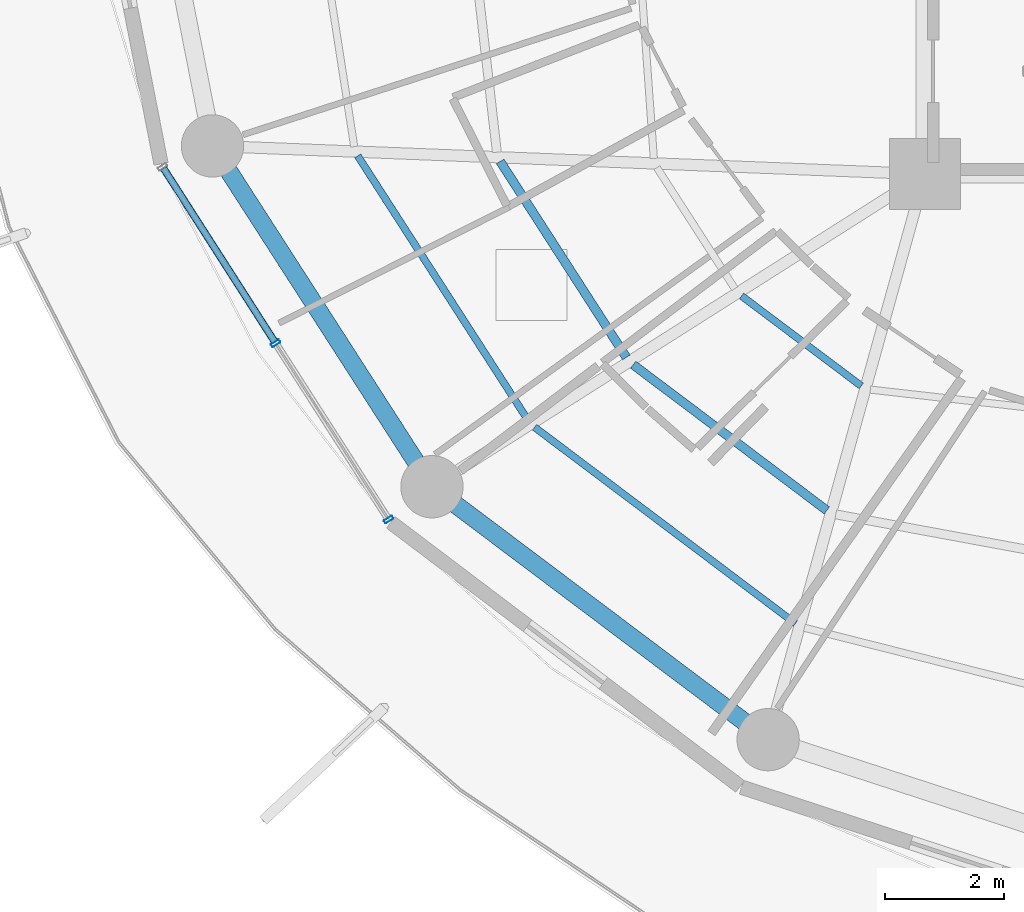
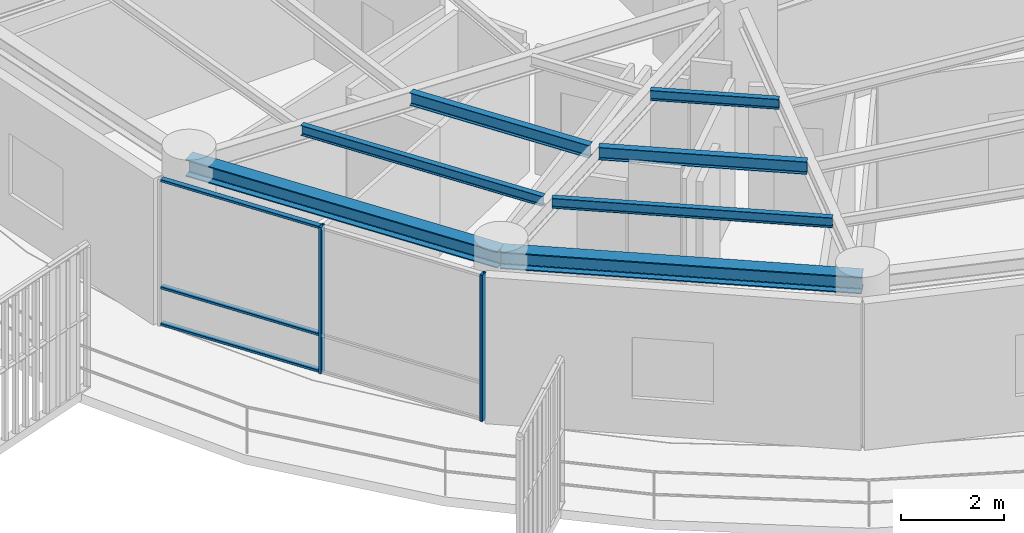
# One storey, part 2 of 30: 7 beams, 5 members, 1 element without a shape of its own.
"""IFC4 building model written with IfcOpenShell, lengths in metres."""

from ifc_helpers import new_model, si_unit, direction, frame, origin, origin_2d, place, context, subcontext, project, spatial, hollow_rectangle, i_section, extrude, material, layer, layer_set, material_profile, profile_set, type_object, element, aggregate, save


model = new_model("IFC4")

# Units and contexts
model_context = context("Model", 3, precision=1e-05, world=origin(), true_north=direction((0.0, 1.0)))
body_context = subcontext(model_context, "Body", "Model", "MODEL_VIEW")
ifc_project = project(units=[si_unit("LENGTHUNIT", "METRE"), si_unit("AREAUNIT", "SQUARE_METRE"), si_unit("VOLUMEUNIT", "CUBIC_METRE"), si_unit("PLANEANGLEUNIT", "RADIAN"), si_unit("MASSUNIT", "GRAM", prefix="KILO")], contexts=[model_context])

# Site, building, storey
site_placement = place(None, origin())
site = spatial("IfcSite", under=ifc_project, at=site_placement, CompositionType="ELEMENT")
building_placement = place(site_placement, origin())
building = spatial("IfcBuilding", under=site, at=building_placement, Name="Kelanora Arch Commons", CompositionType="ELEMENT")
storey_placement = place(building_placement, frame((0.0, 0.0, 215.699951171875)))
storey = spatial("IfcBuildingStorey", under=building, at=storey_placement, Name="L55", CompositionType="ELEMENT", Elevation=215.699951171875)

# Beams
ifc_material_1 = material(Name="Steel S355", Category="steel")
ifc_material_profile_1 = material_profile(ifc_material_1, i_section(OverallWidth=0.14990234375, OverallDepth=0.300048828125, WebThickness=0.007080078125, FlangeThickness=0.0107421875, FilletRadius=0.014892578125, at=origin_2d()), Name="IPE300")
ifc_profile_set_1 = profile_set([ifc_material_profile_1], Name="Steel S355")
beam_type_1 = type_object("IfcBeamType", Name="BM-JST-01", PredefinedType="JOIST", material=ifc_profile_set_1)
beam_1_placement = place(storey_placement, frame((58.847900390625, 51.213134765625, 3.340087890625), z_axis=(0.541411265892, -0.840757896879, 0.0), x_axis=(0.840757896879, 0.541411265892, 0.0)))
element("IfcBeam", 1, at=beam_1_placement, inside=storey, type_object=beam_type_1, Name="Secondary Chord Joist BJB-20 L55", PredefinedType="JOIST", context=body_context, shape_type="SweptSolid", body=[
    extrude(i_section(OverallWidth=0.14990234375, OverallDepth=0.300048828125, WebThickness=0.007080078125, FlangeThickness=0.0107421875, FilletRadius=0.014892578125, at=origin_2d()), origin(), (0.0, 0.0, 1.0), 3.92529296875),
])
beam_2_placement = place(storey_placement, frame((61.087158203125, 47.790283203125, 3.340087890625), z_axis=(0.799101708656, -0.601195857624, 0.0), x_axis=(0.601195857624, 0.799101708656, 0.0)))
element("IfcBeam", 2, at=beam_2_placement, inside=storey, type_object=beam_type_1, Name="Secondary Chord Joist BJB-22 L55", PredefinedType="JOIST", context=body_context, shape_type="SweptSolid", body=[
    extrude(i_section(OverallWidth=0.14990234375, OverallDepth=0.300048828125, WebThickness=0.007080078125, FlangeThickness=0.0107421875, FilletRadius=0.014892578125, at=origin_2d()), origin(), (0.0, 0.0, 1.0), 4.080810546875),
])
ifc_material_profile_2 = material_profile(ifc_material_1, i_section(OverallWidth=0.1201171875, OverallDepth=0.239990234375, WebThickness=0.006103515625, FlangeThickness=0.009765625, FilletRadius=0.014892578125, at=origin_2d()), Name="IPE240")
ifc_profile_set_2 = profile_set([ifc_material_profile_2], Name="Steel S355")
beam_type_2 = type_object("IfcBeamType", Name="BM-JST-02", PredefinedType="JOIST", material=ifc_profile_set_2)
beam_3_placement = place(storey_placement, frame((56.44873046875, 51.30810546875, 3.3701171875), z_axis=(0.541382492679, -0.840776424872, 0.0), x_axis=(0.840776424872, 0.541382492679, 0.0)))
element("IfcBeam", 3, at=beam_3_placement, inside=storey, type_object=beam_type_2, Name="Secondary Chord Joist BJC-20 L55", PredefinedType="JOIST", context=body_context, shape_type="SweptSolid", body=[
    extrude(i_section(OverallWidth=0.1201171875, OverallDepth=0.239990234375, WebThickness=0.006103515625, FlangeThickness=0.009765625, FilletRadius=0.014892578125, at=origin_2d()), origin(), (0.0, 0.0, 1.0), 5.29052734375),
])
beam_4_placement = place(storey_placement, frame((62.913330078125, 48.948486328125, 3.3701171875), z_axis=(0.79911638933, -0.601176343766, 0.0), x_axis=(0.601176343766, 0.79911638933, 0.0)))
element("IfcBeam", 4, at=beam_4_placement, inside=storey, type_object=beam_type_2, Name="Secondary Chord Joist BJA-22 L55", PredefinedType="JOIST", context=body_context, shape_type="SweptSolid", body=[
    extrude(i_section(OverallWidth=0.1201171875, OverallDepth=0.239990234375, WebThickness=0.006103515625, FlangeThickness=0.009765625, FilletRadius=0.014892578125, at=origin_2d()), origin(), (0.0, 0.0, 1.0), 2.522216796875),
])
beam_5_placement = place(storey_placement, frame((59.4267578125, 46.7373046875, 3.3701171875), z_axis=(0.799109197935, -0.601185902842, 0.0), x_axis=(0.601185902842, 0.799109197935, 0.0)))
element("IfcBeam", 5, at=beam_5_placement, inside=storey, type_object=beam_type_2, Name="Secondary Chord Joist BJC-22 L55", PredefinedType="JOIST", context=body_context, shape_type="SweptSolid", body=[
    extrude(i_section(OverallWidth=0.1201171875, OverallDepth=0.239990234375, WebThickness=0.006103515625, FlangeThickness=0.009765625, FilletRadius=0.014892578125, at=origin_2d()), origin(), (0.0, 0.0, 1.0), 5.497802734375),
])
ifc_material_profile_3 = material_profile(ifc_material_1, i_section(OverallWidth=0.300048828125, OverallDepth=0.39990234375, WebThickness=0.013427734375, FlangeThickness=0.02392578125, FilletRadius=0.027099609375, at=origin_2d()), Name="HEB400")
ifc_profile_set_3 = profile_set([ifc_material_profile_3], Name="Steel S355")
beam_type_3 = type_object("IfcBeamType", Name="BM-SPN-Z4", PredefinedType="SPANDREL", material=ifc_profile_set_3)
beam_6_placement = place(storey_placement, frame((54.00341796875, 51.474365234375, 3.2900390625), z_axis=(0.541364878868, -0.840787766281, 0.0), x_axis=(0.840787766281, 0.541364878868, 0.0)))
element("IfcBeam", 6, at=beam_6_placement, inside=storey, type_object=beam_type_3, Name="Perimeter Spandrel Beam BS-20 L55", PredefinedType="SPANDREL", context=body_context, shape_type="SweptSolid", body=[
    extrude(i_section(OverallWidth=0.300048828125, OverallDepth=0.39990234375, WebThickness=0.013427734375, FlangeThickness=0.02392578125, FilletRadius=0.027099609375, at=origin_2d()), origin(), (0.0, 0.0, 1.0), 6.825439453125),
])
beam_7_placement = place(storey_placement, frame((57.698486328125, 45.735595703125, 3.2900390625), z_axis=(0.799114211715, -0.60117923836, 0.0), x_axis=(0.60117923836, 0.799114211715, 0.0)))
element("IfcBeam", 7, at=beam_7_placement, inside=storey, type_object=beam_type_3, Name="Perimeter Spandrel Beam BS-22 L55", PredefinedType="SPANDREL", context=body_context, shape_type="SweptSolid", body=[
    extrude(i_section(OverallWidth=0.300048828125, OverallDepth=0.39990234375, WebThickness=0.013427734375, FlangeThickness=0.02392578125, FilletRadius=0.027099609375, at=origin_2d()), origin(), (0.0, 0.0, 1.0), 7.0849609375),
])

# Curtain wall, members
ifc_material_2 = material(Name="Terracotta ceramic-fritted low-E glass and aluminium", Category="masonry")
ifc_layer = layer(ifc_material_2, 0.175048828125)
ifc_layer_set = layer_set([ifc_layer], Name="Terracotta ceramic-fritted low-E glass and aluminium")
curtain_wall_type = type_object("IfcCurtainWallType", Name="CW-SYS-02", PredefinedType="NOTDEFINED", material=ifc_layer_set)
curtain_wall_placement = place(storey_placement, origin())
curtain_wall = element("IfcCurtainWall", 8, at=curtain_wall_placement, inside=storey, type_object=curtain_wall_type, Name="Unitised Curtain Wall L55-B10", PredefinedType="NOTDEFINED")
ifc_material_3 = material(Name="Powder-coated aluminium terracotta", Category="masonry")
ifc_material_profile_4 = material_profile(ifc_material_3, hollow_rectangle(XDim=0.159912109375, YDim=0.06005859375, WallThickness=0.0048828125, InnerFilletRadius=0.0048828125, OuterFilletRadius=0.010009765625, at=origin_2d()), Name="CWM160x60")
ifc_profile_set_4 = profile_set([ifc_material_profile_4], Name="Powder-coated aluminium terracotta")
member_type_1 = type_object("IfcMemberType", Name="CWM-STD", PredefinedType="MULLION", material=ifc_profile_set_4)
member_1_placement = place(storey_placement, frame((55.06640625, 48.15185546875, 0.0), z_axis=(0.0, 0.0, 1.0), x_axis=(0.84194757539, 0.539559338994, 0.0)))
member_1 = element("IfcMember", 9, at=member_1_placement, type_object=member_type_1, Name="CW-02 mullion 2", PredefinedType="MULLION", context=body_context, shape_type="SweptSolid", body=[
    extrude(hollow_rectangle(XDim=0.159912109375, YDim=0.06005859375, WallThickness=0.0048828125, InnerFilletRadius=0.0048828125, OuterFilletRadius=0.010009765625, at=origin_2d()), origin(), (0.0, 0.0, 1.0), 3.47509765625),
])
member_2_placement = place(storey_placement, frame((56.969482421875, 45.18212890625, 0.0), z_axis=(0.0, 0.0, 1.0), x_axis=(0.84194757539, 0.539559338994, 0.0)))
member_2 = element("IfcMember", 10, at=member_2_placement, type_object=member_type_1, Name="CW-02 mullion 3", PredefinedType="MULLION", context=body_context, shape_type="SweptSolid", body=[
    extrude(hollow_rectangle(XDim=0.159912109375, YDim=0.06005859375, WallThickness=0.0048828125, InnerFilletRadius=0.0048828125, OuterFilletRadius=0.010009765625, at=origin_2d()), origin(), (0.0, 0.0, 1.0), 3.47509765625),
])
ifc_material_profile_5 = material_profile(ifc_material_3, hollow_rectangle(XDim=0.1201171875, YDim=0.06005859375, WallThickness=0.0048828125, InnerFilletRadius=0.0048828125, OuterFilletRadius=0.010009765625, at=origin_2d()), Name="CWT120x60")
ifc_profile_set_5 = profile_set([ifc_material_profile_5], Name="Powder-coated aluminium terracotta")
member_type_2 = type_object("IfcMemberType", Name="CWT-STD", PredefinedType="USERDEFINED", material=ifc_profile_set_5)
member_3_placement = place(storey_placement, frame((53.17919921875, 51.096435546875, 0.030029296875), z_axis=(0.539579095642, -0.84193491408, 0.0), x_axis=(0.84193491408, 0.539579095642, 0.0)))
member_3 = element("IfcMember", 11, at=member_3_placement, type_object=member_type_2, Name="CW-02 transom 1.1", ObjectType="TRANSOM", PredefinedType="USERDEFINED", context=body_context, shape_type="SweptSolid", body=[
    extrude(hollow_rectangle(XDim=0.1201171875, YDim=0.06005859375, WallThickness=0.0048828125, InnerFilletRadius=0.0048828125, OuterFilletRadius=0.010009765625, at=origin_2d()), origin(), (0.0, 0.0, 1.0), 3.46728515625),
])
member_4_placement = place(storey_placement, frame((53.17919921875, 51.096435546875, 0.900146484375), z_axis=(0.539579095642, -0.84193491408, 0.0), x_axis=(0.84193491408, 0.539579095642, 0.0)))
member_4 = element("IfcMember", 12, at=member_4_placement, type_object=member_type_2, Name="CW-02 transom 1.2", ObjectType="TRANSOM", PredefinedType="USERDEFINED", context=body_context, shape_type="SweptSolid", body=[
    extrude(hollow_rectangle(XDim=0.1201171875, YDim=0.06005859375, WallThickness=0.0048828125, InnerFilletRadius=0.0048828125, OuterFilletRadius=0.010009765625, at=origin_2d()), origin(), (0.0, 0.0, 1.0), 3.46728515625),
])
member_5_placement = place(storey_placement, frame((53.17919921875, 51.096435546875, 3.445068359375), z_axis=(0.539579095642, -0.84193491408, 0.0), x_axis=(0.84193491408, 0.539579095642, 0.0)))
member_5 = element("IfcMember", 13, at=member_5_placement, type_object=member_type_2, Name="CW-02 transom 1.3", ObjectType="TRANSOM", PredefinedType="USERDEFINED", context=body_context, shape_type="SweptSolid", body=[
    extrude(hollow_rectangle(XDim=0.1201171875, YDim=0.06005859375, WallThickness=0.0048828125, InnerFilletRadius=0.0048828125, OuterFilletRadius=0.010009765625, at=origin_2d()), origin(), (0.0, 0.0, 1.0), 3.46728515625),
])
aggregate(curtain_wall, [member_1, member_2, member_3, member_4, member_5])

save(model, "model.ifc")
